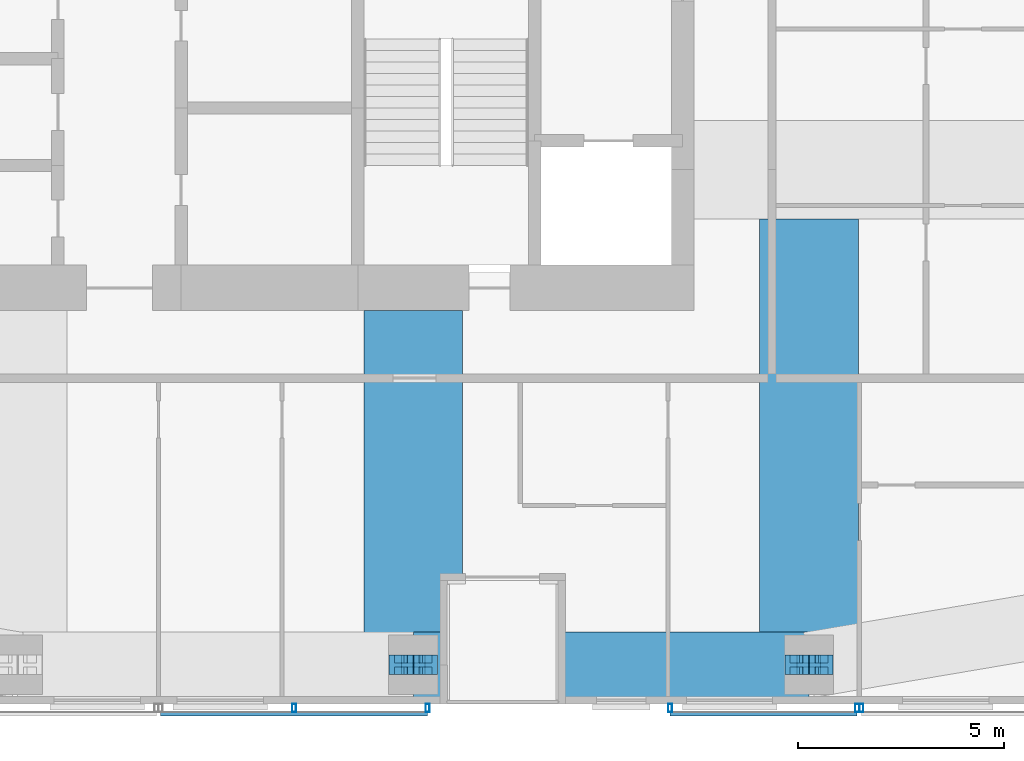
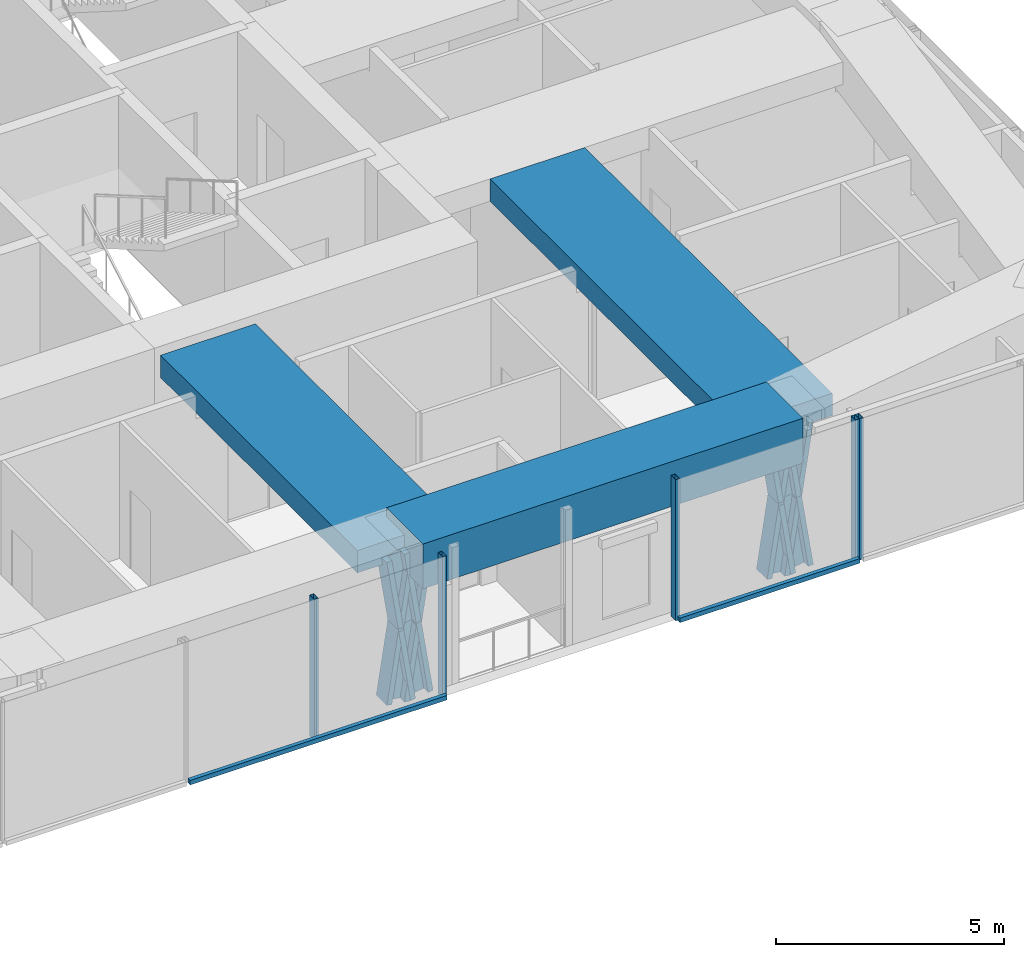
# One storey, part 5 of 20: 15 members, 3 beams, 3 elements without a shape of their own.
"""IFC4 building model written with IfcOpenShell, lengths in metres."""

import ifcopenshell
import ifcopenshell.guid

model = None  # the IFC model being written
_history = None  # IfcOwnerHistory: only IFC2X3 demands one
_inside = {}  # id of a spatial element -> (the spatial element, [elements in it])
_under = {}  # id of a project, library or spatial element -> (it, [spatial elements below it])
_declared = {}  # id of a project -> (the project, [libraries it declares])
_typed = {}  # id of a type object -> (the type object, [elements of that type])
_made_of = {}  # id of a material, layer set ... -> (it, [elements and type objects made of it])


def new_model(schema):
    """Start an empty IFC model of exactly this schema.

    Asked for "IFC4X3", IfcOpenShell would pick the latest addendum, in which some entities
    have other attributes; the version numbers below select the first issue.
    IFC2X3 requires an IfcOwnerHistory on every rooted entity: one is made here for all.
    """
    global model, _history
    if schema == "IFC4X3":
        model = ifcopenshell.file(schema_version=(4, 3, 0, 0))
    else:
        model = ifcopenshell.file(schema=schema)
    _inside.clear()
    _under.clear()
    _declared.clear()
    _typed.clear()
    _made_of.clear()
    _history = None
    if model.schema == "IFC2X3":
        org = make("IfcOrganization", Name="unknown")
        user = make(
            "IfcPersonAndOrganization",
            ThePerson=make("IfcPerson", FamilyName="unknown"),
            TheOrganization=org,
        )
        app = make(
            "IfcApplication",
            ApplicationDeveloper=org,
            Version="unknown",
            ApplicationFullName="unknown",
            ApplicationIdentifier="unknown",
        )
        _history = make(
            "IfcOwnerHistory",
            OwningUser=user,
            OwningApplication=app,
            ChangeAction="ADDED",
            CreationDate=0,
        )
    return model


def make(cls, **values):
    """One entity of the class cls with the attributes given. An attribute that is None is left unset."""
    return model.create_entity(
        cls, **{name: value for name, value in values.items() if value is not None}
    )


def rooted(cls, **values):
    """An entity with a GlobalId (a new one), such as an element, a storey or a relation."""
    return make(cls, GlobalId=ifcopenshell.guid.new(), OwnerHistory=_history, **values)


def si_unit(unit_type, name, prefix=None):
    """IfcSIUnit, for example si_unit("LENGTHUNIT", "METRE", prefix="MILLI")."""
    return make("IfcSIUnit", UnitType=unit_type, Prefix=prefix, Name=name)


def assignment(units):
    """IfcUnitAssignment: the units of a project."""
    return None if units is None else make("IfcUnitAssignment", Units=units)


def point(xyz):
    """IfcCartesianPoint."""
    return None if xyz is None else make("IfcCartesianPoint", Coordinates=xyz)


def direction(xyz):
    """IfcDirection."""
    return None if xyz is None else make("IfcDirection", DirectionRatios=xyz)


def frame(location, z_axis=None, x_axis=None):
    """IfcAxis2Placement3D, a coordinate frame: its origin and axes. An axis left out is left unset."""
    return make(
        "IfcAxis2Placement3D",
        Location=point(location),
        Axis=direction(z_axis),
        RefDirection=direction(x_axis),
    )


def frame_2d(location, x_axis=None):
    """IfcAxis2Placement2D, a coordinate frame in the plane: its origin and x axis."""
    return make(
        "IfcAxis2Placement2D", Location=point(location), RefDirection=direction(x_axis)
    )


def origin():
    """The frame at (0, 0, 0) with its axes left unset."""
    return frame((0.0, 0.0, 0.0))


def origin_2d():
    """The frame at (0, 0) in the plane with its x axis left unset."""
    return frame_2d((0.0, 0.0))


def place(relative_to, where):
    """IfcLocalPlacement: puts the frame where relative to a parent placement (None: the world)."""
    return make(
        "IfcLocalPlacement", PlacementRelTo=relative_to, RelativePlacement=where
    )


def context(
    kind, dimensions, precision=None, world=None, true_north=None, identifier=None
):
    """IfcGeometricRepresentationContext, for example the 3D "Model" context."""
    return make(
        "IfcGeometricRepresentationContext",
        ContextIdentifier=identifier,
        ContextType=kind,
        CoordinateSpaceDimension=dimensions,
        Precision=precision,
        WorldCoordinateSystem=world,
        TrueNorth=true_north,
    )


def subcontext(parent, identifier, kind, view, scale=None):
    """IfcGeometricRepresentationSubContext, for example "Body" below "Model"."""
    return make(
        "IfcGeometricRepresentationSubContext",
        ContextIdentifier=identifier,
        ContextType=kind,
        ParentContext=parent,
        TargetScale=scale,
        TargetView=view,
    )


def project(units=None, contexts=None):
    """IfcProject with its units and contexts."""
    return rooted(
        "IfcProject",
        Name="project",
        RepresentationContexts=contexts,
        UnitsInContext=assignment(units),
    )


def spatial(cls, under=None, at=None, **own):
    """A site, building, storey or space (cls), placed at a placement, below another one or the project."""
    s = rooted(cls, ObjectPlacement=at, **own)
    if under is not None:
        _under.setdefault(under.id(), (under, []))[1].append(s)
    return s


def profile(cls, at=None, kind="AREA", **sizes):
    """A parametric profile (cls). Its sizes go by their IFC names, for example OverallWidth=200.0."""
    return make(cls, ProfileType=kind, Position=at, **sizes)


def rectangle(**sizes):
    """IfcRectangleProfileDef."""
    return profile("IfcRectangleProfileDef", **sizes)


def hollow_rectangle(**sizes):
    """IfcRectangleHollowProfileDef."""
    return profile("IfcRectangleHollowProfileDef", **sizes)


def i_section(**sizes):
    """IfcIShapeProfileDef."""
    return profile("IfcIShapeProfileDef", **sizes)


def extrude(swept, where, along, depth):
    """IfcExtrudedAreaSolid: the profile swept, set in the frame where, extruded along a direction by depth."""
    return make(
        "IfcExtrudedAreaSolid",
        SweptArea=swept,
        Position=where,
        ExtrudedDirection=direction(along),
        Depth=depth,
    )


def shape(context_of_items, identifier, shape_type, items):
    """IfcShapeRepresentation: the items that make up one representation, for example the "Body"."""
    return make(
        "IfcShapeRepresentation",
        ContextOfItems=context_of_items,
        RepresentationIdentifier=identifier,
        RepresentationType=shape_type,
        Items=items,
    )


def material(Name=None, Category=None):
    """IfcMaterial."""
    return make("IfcMaterial", Name=Name, Category=Category)


def material_profile(
    of_material, cross_section, Name=None, Category=None, Priority=None
):
    """IfcMaterialProfile: a cross section and its material."""
    return make(
        "IfcMaterialProfile",
        Name=Name,
        Material=of_material,
        Profile=cross_section,
        Priority=Priority,
        Category=Category,
    )


def profile_set(profiles, Name=None, composite=None):
    """IfcMaterialProfileSet."""
    return make(
        "IfcMaterialProfileSet",
        Name=Name,
        MaterialProfiles=profiles,
        CompositeProfile=composite,
    )


def made_of(thing, what):
    """Note that an element or type object is made of a material, layer set ...; save() writes the relation."""
    if what is not None:
        _made_of.setdefault(what.id(), (what, []))[1].append(thing)
    return thing


def type_object(cls, material=None, **own):
    """A type object (cls), such as IfcWallType, which elements share."""
    return made_of(rooted(cls, **own), material)


def element(
    cls,
    number,
    at=None,
    inside=None,
    cuts=None,
    type_object=None,
    material=None,
    context=None,
    identifier="Body",
    shape_type=None,
    held_by="IfcProductDefinitionShape",
    body=None,
    shapes=None,
    **own,
):
    """One element of the class cls, such as IfcWall. Its Tag is "e" and its number.

    at: its placement. inside: the storey or other place that contains it. cuts: it is an
    opening in that element (IfcRelVoidsElement). A single representation is given by context,
    identifier, shape_type and body (its items); several are given by shapes. held_by: the class
    of the entity that holds the representations. save() writes the other relations.
    """
    e = rooted(cls, Tag="e%d" % number, ObjectPlacement=at, **own)
    if body is not None:
        shapes = [shape(context, identifier, shape_type, body)]
    if shapes is not None:
        e.Representation = make(held_by, Representations=shapes)
    if inside is not None:
        _inside.setdefault(inside.id(), (inside, []))[1].append(e)
    if cuts is not None:
        rooted(
            "IfcRelVoidsElement", RelatingBuildingElement=cuts, RelatedOpeningElement=e
        )
    if type_object is not None:
        _typed.setdefault(type_object.id(), (type_object, []))[1].append(e)
    return made_of(e, material)


def aggregate(whole, parts):
    """IfcRelAggregates: a whole, such as a stair, and the parts it consists of."""
    return rooted("IfcRelAggregates", RelatingObject=whole, RelatedObjects=parts)


def save(model, path):
    """Write the relations noted so far, then the file.

    IfcRelAggregates (storeys below a building ...), IfcRelContainedInSpatialStructure (elements
    in a storey), IfcRelDefinesByType, IfcRelAssociatesMaterial and IfcRelDeclares: one each for
    every whole, place, type object, material and project.
    """
    for whole, parts in _under.values():
        aggregate(whole, parts)
    for where, things in _inside.values():
        rooted(
            "IfcRelContainedInSpatialStructure",
            RelatedElements=things,
            RelatingStructure=where,
        )
    for kind, things in _typed.values():
        rooted("IfcRelDefinesByType", RelatedObjects=things, RelatingType=kind)
    for what, things in _made_of.values():
        rooted("IfcRelAssociatesMaterial", RelatedObjects=things, RelatingMaterial=what)
    for by, libraries in _declared.values():
        rooted("IfcRelDeclares", RelatingContext=by, RelatedDefinitions=libraries)
    model.write(path)


model = new_model("IFC4")

# Units and contexts
model_context = context("Model", 3, precision=1e-05, world=origin(), true_north=direction((0.0, 1.0)))
body_context = subcontext(model_context, "Body", "Model", "MODEL_VIEW")
ifc_project = project(units=[si_unit("LENGTHUNIT", "METRE"), si_unit("AREAUNIT", "SQUARE_METRE"), si_unit("VOLUMEUNIT", "CUBIC_METRE"), si_unit("PLANEANGLEUNIT", "RADIAN"), si_unit("MASSUNIT", "GRAM", prefix="KILO")], contexts=[model_context])

# Site, building, storey
site_placement = place(None, origin())
site = spatial("IfcSite", under=ifc_project, at=site_placement, CompositionType="ELEMENT")
building_placement = place(site_placement, origin())
building = spatial("IfcBuilding", under=site, at=building_placement, Name="Jalousie Tower", CompositionType="ELEMENT")
storey_placement = place(building_placement, frame((0.0, 0.0, 259.949951171875)))
storey = spatial("IfcBuildingStorey", under=building, at=storey_placement, Name="L71", CompositionType="ELEMENT", Elevation=259.949951171875)

# Members
ifc_material_1 = material(Name="Steel ASTM A992 Grade 50", Category="steel")
ifc_material_profile_1 = material_profile(ifc_material_1, i_section(OverallWidth=0.472412109375, OverallDepth=0.5791015625, WebThickness=0.094970703125, FlangeThickness=0.1298828125, at=origin_2d()), Name="W14X808")
ifc_profile_set_1 = profile_set([ifc_material_profile_1], Name="Steel ASTM A992 Grade 50")
member_type_1 = type_object("IfcMemberType", Name="PERIMETER BRACE W14X808", PredefinedType="BRACE", material=ifc_profile_set_1)
for number, where, z_axis, x_axis, name in (
    (1, (36.949951171875, 0.949951171875, -0.599853515625), (0.152085080919, 0.0, 0.988367405453), (0.0, 1.0, 0.0), "Perimeter brace 03 L71 part 1"),
    (2, (37.25, 0.949951171875, 1.35009765625), (0.152085080919, 0.0, 0.988367405453), (0.0, 1.0, 0.0), "Perimeter brace 03 L71 part 2"),
    (3, (37.550048828125, 0.949951171875, -0.599853515625), (-0.152085080919, 0.0, 0.988367405453), (0.0, -1.0, 0.0), "Perimeter brace 03 L71 part 3"),
    (4, (37.25, 0.949951171875, 1.35009765625), (-0.152085080919, 0.0, 0.988367405453), (0.0, -1.0, 0.0), "Perimeter brace 03 L71 part 4"),
    (5, (46.574951171875, 0.949951171875, -0.599853515625), (0.152085080919, 0.0, 0.988367405453), (0.0, 1.0, 0.0), "Perimeter brace 04 L71 part 1"),
    (6, (46.875, 0.949951171875, 1.35009765625), (0.152085080919, 0.0, 0.988367405453), (0.0, 1.0, 0.0), "Perimeter brace 04 L71 part 2"),
    (7, (47.175048828125, 0.949951171875, -0.599853515625), (-0.152085080919, 0.0, 0.988367405453), (0.0, -1.0, 0.0), "Perimeter brace 04 L71 part 3"),
    (8, (46.875, 0.949951171875, 1.35009765625), (-0.152085080919, 0.0, 0.988367405453), (0.0, -1.0, 0.0), "Perimeter brace 04 L71 part 4"),
):
    element("IfcMember", number, at=place(storey_placement, frame(where, z_axis=z_axis, x_axis=x_axis)), inside=storey, type_object=member_type_1, Name=name, PredefinedType="BRACE", context=body_context, shape_type="SweptSolid", body=[
        extrude(i_section(OverallWidth=0.472412109375, OverallDepth=0.5791015625, WebThickness=0.094970703125, FlangeThickness=0.1298828125, at=origin_2d()), origin(), (0.0, 0.0, 1.0), 1.972900390625),
    ])

# Beams
ifc_material_2 = material(Name="Concrete f'c 40 MPa", Category="concrete")
ifc_material_profile_2 = material_profile(ifc_material_2, rectangle(XDim=1.60009765625, YDim=1.199951171875, at=origin_2d()), Name="RC 1600x1200")
ifc_profile_set_2 = profile_set([ifc_material_profile_2], Name="Concrete f'c 40 MPa")
beam_type_1 = type_object("IfcBeamType", Name="RC BEAM 1600x1200", PredefinedType="BEAM", material=ifc_profile_set_2)
beam_1_placement = place(storey_placement, frame((37.25, 0.949951171875, 3.300048828125), z_axis=(1.0, 0.0, 0.0), x_axis=(0.0, 1.0, 0.0)))
element("IfcBeam", 9, at=beam_1_placement, inside=storey, type_object=beam_type_1, Name="Edge band beam 03-04 under L72", PredefinedType="BEAM", context=body_context, shape_type="SweptSolid", body=[
    extrude(rectangle(XDim=1.60009765625, YDim=1.199951171875, at=origin_2d()), origin(), (0.0, 0.0, 1.0), 9.625),
])
ifc_material_3 = material(Name="Concrete f'c 40 MPa", Category="concrete")
ifc_material_profile_3 = material_profile(ifc_material_3, rectangle(XDim=2.39990234375, YDim=0.60009765625, at=origin_2d()), Name="RC 2400x600")
ifc_profile_set_3 = profile_set([ifc_material_profile_3], Name="Concrete f'c 40 MPa")
beam_type_2 = type_object("IfcBeamType", Name="RC BEAM 2400x600", PredefinedType="BEAM", material=ifc_profile_set_3)
beam_2_placement = place(storey_placement, frame((37.25, 0.949951171875, 3.360107421875), z_axis=(0.0, 1.0, 0.0), x_axis=(-1.0, 0.0, 0.0)))
element("IfcBeam", 10, at=beam_2_placement, inside=storey, type_object=beam_type_2, Name="Floor band beam under L72", PredefinedType="BEAM", context=body_context, shape_type="SweptSolid", body=[
    extrude(rectangle(XDim=2.39990234375, YDim=0.60009765625, at=origin_2d()), origin(), (0.0, 0.0, 1.0), 8.625),
])
beam_3_placement = place(storey_placement, frame((46.875, 0.949951171875, 3.360107421875), z_axis=(0.0, 1.0, 0.0), x_axis=(-1.0, 0.0, 0.0)))
element("IfcBeam", 11, at=beam_3_placement, inside=storey, type_object=beam_type_2, Name="Floor band beam under L72", PredefinedType="BEAM", context=body_context, shape_type="SweptSolid", body=[
    extrude(rectangle(XDim=2.39990234375, YDim=0.60009765625, at=origin_2d()), origin(), (0.0, 0.0, 1.0), 10.85009765625),
])

# Curtain wall, members
ifc_material_4 = material(Name="Perforated aluminium sheet", Category="aluminium")
curtain_wall_type = type_object("IfcCurtainWallType", Name="SOLAR SCREEN SS-2", PredefinedType="USERDEFINED", material=ifc_material_4)
curtain_wall_1_placement = place(storey_placement, origin())
curtain_wall_1 = element("IfcCurtainWall", 12, at=curtain_wall_1_placement, inside=storey, type_object=curtain_wall_type, Name="Solar screen L71", ObjectType="SOLAR SCREEN SS-2", PredefinedType="USERDEFINED")
ifc_material_5 = material(Name="Steel ASTM A500 Grade C", Category="steel")
ifc_material_profile_4 = material_profile(ifc_material_5, hollow_rectangle(XDim=0.1015625, YDim=0.203125, WallThickness=0.0078125, at=origin_2d()), Name="HSS8X4X5/16")
ifc_profile_set_4 = profile_set([ifc_material_profile_4], Name="Steel ASTM A500 Grade C")
member_type_2 = type_object("IfcMemberType", Name="SOLAR SCREEN SS-2 MULLION", PredefinedType="MULLION", material=ifc_profile_set_4)
member_1_placement = place(storey_placement, frame((34.35009765625, -0.0966796875, -0.119873046875), z_axis=(0.0, 0.0, 1.0), x_axis=(1.0, 0.0, 0.0)))
member_1 = element("IfcMember", 13, at=member_1_placement, type_object=member_type_2, Name="SS2 post 2", PredefinedType="MULLION", context=body_context, shape_type="SweptSolid", body=[
    extrude(hollow_rectangle(XDim=0.1015625, YDim=0.203125, WallThickness=0.0078125, at=origin_2d()), origin(), (0.0, 0.0, 1.0), 3.780029296875),
])
member_2_placement = place(storey_placement, frame((37.60009765625, -0.0966796875, -0.119873046875), z_axis=(0.0, 0.0, 1.0), x_axis=(1.0, 0.0, 0.0)))
member_2 = element("IfcMember", 14, at=member_2_placement, type_object=member_type_2, Name="SS2 post 3", PredefinedType="MULLION", context=body_context, shape_type="SweptSolid", body=[
    extrude(hollow_rectangle(XDim=0.1015625, YDim=0.203125, WallThickness=0.0078125, at=origin_2d()), origin(), (0.0, 0.0, 1.0), 3.780029296875),
])

curtain_wall_2_placement = place(storey_placement, origin())
curtain_wall_2 = element("IfcCurtainWall", 15, at=curtain_wall_2_placement, inside=storey, type_object=curtain_wall_type, Name="Solar screen L71", ObjectType="SOLAR SCREEN SS-2", PredefinedType="USERDEFINED")
member_3_placement = place(storey_placement, frame((43.5, -0.0966796875, -0.119873046875), z_axis=(0.0, 0.0, 1.0), x_axis=(1.0, 0.0, 0.0)))
member_3 = element("IfcMember", 16, at=member_3_placement, type_object=member_type_2, Name="SS2 post 1", PredefinedType="MULLION", context=body_context, shape_type="SweptSolid", body=[
    extrude(hollow_rectangle(XDim=0.1015625, YDim=0.203125, WallThickness=0.0078125, at=origin_2d()), origin(), (0.0, 0.0, 1.0), 3.780029296875),
])
member_4_placement = place(storey_placement, frame((48.050048828125, -0.0966796875, -0.119873046875), z_axis=(0.0, 0.0, 1.0), x_axis=(1.0, 0.0, 0.0)))
member_4 = element("IfcMember", 17, at=member_4_placement, type_object=member_type_2, Name="SS2 post 2", PredefinedType="MULLION", context=body_context, shape_type="SweptSolid", body=[
    extrude(hollow_rectangle(XDim=0.1015625, YDim=0.203125, WallThickness=0.0078125, at=origin_2d()), origin(), (0.0, 0.0, 1.0), 3.780029296875),
])

# Curtain wall, member
curtain_wall_3_placement = place(storey_placement, origin())
curtain_wall_3 = element("IfcCurtainWall", 18, at=curtain_wall_3_placement, inside=storey, type_object=curtain_wall_type, Name="Solar screen L71", ObjectType="SOLAR SCREEN SS-2", PredefinedType="USERDEFINED")
member_5_placement = place(storey_placement, frame((48.14990234375, -0.0966796875, -0.119873046875), z_axis=(0.0, 0.0, 1.0), x_axis=(1.0, 0.0, 0.0)))
member_5 = element("IfcMember", 19, at=member_5_placement, type_object=member_type_2, Name="SS2 post 1", PredefinedType="MULLION", context=body_context, shape_type="SweptSolid", body=[
    extrude(hollow_rectangle(XDim=0.1015625, YDim=0.203125, WallThickness=0.0078125, at=origin_2d()), origin(), (0.0, 0.0, 1.0), 3.780029296875),
])
aggregate(curtain_wall_3, [member_5])

# Member
ifc_material_6 = material(Name="Extruded aluminium screen rail", Category="aluminium")
ifc_material_profile_5 = material_profile(ifc_material_6, rectangle(XDim=0.1015625, YDim=0.1201171875, at=origin_2d()), Name="RAIL 102x120")
ifc_profile_set_5 = profile_set([ifc_material_profile_5], Name="Extruded aluminium screen rail")
member_type_3 = type_object("IfcMemberType", Name="SOLAR SCREEN SS-2 TRANSOM", PredefinedType="USERDEFINED", material=ifc_profile_set_5)
member_6_placement = place(storey_placement, frame((31.10009765625, -0.2490234375, -0.06005859375), z_axis=(1.0, 0.0, 0.0), x_axis=(0.0, 1.0, 0.0)))
member_6 = element("IfcMember", 20, at=member_6_placement, type_object=member_type_3, Name="SS2 rail", ObjectType="TRANSOM", PredefinedType="USERDEFINED", context=body_context, shape_type="SweptSolid", body=[
    extrude(rectangle(XDim=0.1015625, YDim=0.1201171875, at=origin_2d()), origin(), (0.0, 0.0, 1.0), 6.5),
])

aggregate(curtain_wall_1, [member_1, member_2, member_6])

member_7_placement = place(storey_placement, frame((43.5, -0.2490234375, -0.06005859375), z_axis=(1.0, 0.0, 0.0), x_axis=(0.0, 1.0, 0.0)))
member_7 = element("IfcMember", 21, at=member_7_placement, type_object=member_type_3, Name="SS2 rail", ObjectType="TRANSOM", PredefinedType="USERDEFINED", context=body_context, shape_type="SweptSolid", body=[
    extrude(rectangle(XDim=0.1015625, YDim=0.1201171875, at=origin_2d()), origin(), (0.0, 0.0, 1.0), 4.550048828125),
])

aggregate(curtain_wall_2, [member_3, member_4, member_7])

save(model, "model.ifc")
